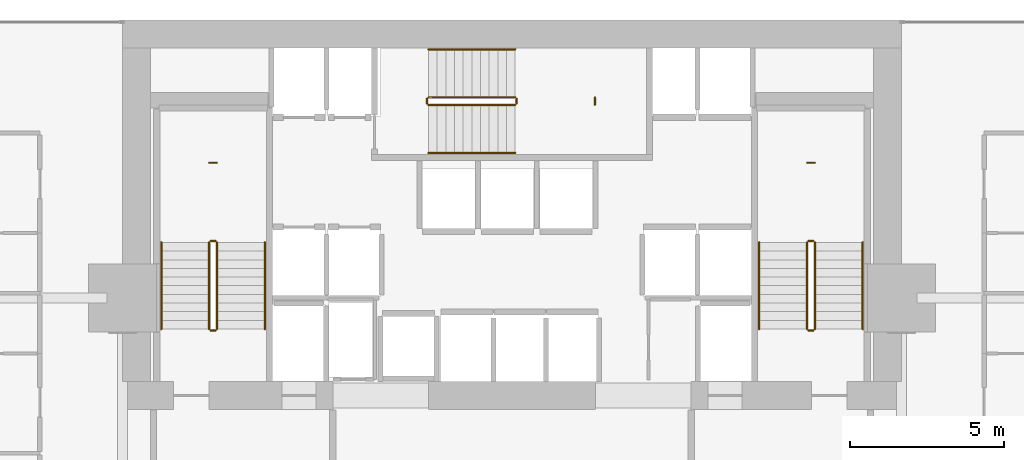
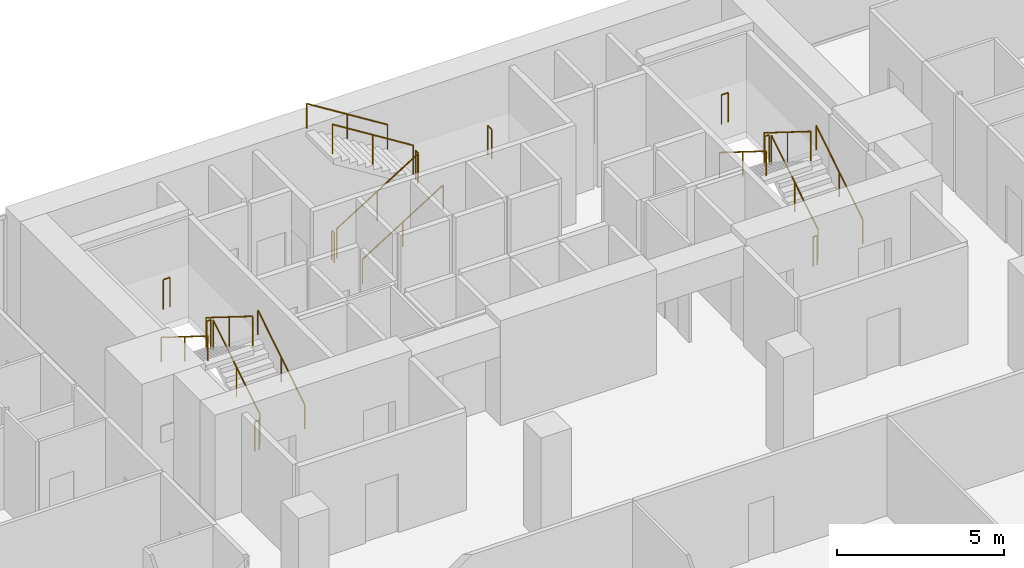
# One storey, part 40 of 40: 21 railings.
"""IFC4 building model written with IfcOpenShell, lengths in metres."""

from ifc_helpers import new_model, si_unit, direction, frame, origin, origin_2d, place, context, subcontext, project, spatial, circle, extrude, material, type_object, element, save


model = new_model("IFC4")

# Units and contexts
model_context = context("Model", 3, precision=1e-05, world=origin(), true_north=direction((0.0, 1.0)))
body_context = subcontext(model_context, "Body", "Model", "MODEL_VIEW")
ifc_project = project(units=[si_unit("LENGTHUNIT", "METRE"), si_unit("AREAUNIT", "SQUARE_METRE"), si_unit("VOLUMEUNIT", "CUBIC_METRE"), si_unit("PLANEANGLEUNIT", "RADIAN"), si_unit("MASSUNIT", "GRAM", prefix="KILO")], contexts=[model_context])

# Site, building, storey
site_placement = place(None, origin())
site = spatial("IfcSite", under=ifc_project, at=site_placement, CompositionType="ELEMENT")
building_placement = place(site_placement, origin())
building = spatial("IfcBuilding", under=site, at=building_placement, Name="Maruvema Waterfront Hotel and Observation Tower", CompositionType="ELEMENT")
storey_placement = place(building_placement, frame((0.0, 0.0, 80.85009765625)))
storey = spatial("IfcBuildingStorey", under=building, at=storey_placement, Name="L19", CompositionType="ELEMENT", Elevation=80.85009765625)

# Railings
ifc_material_1 = material(Name="Brushed stainless steel Grade 316", Category="steel")
railing_type_1 = type_object("IfcRailingType", Name="Ramp Continuous Wall Handrail 920 mm", PredefinedType="HANDRAIL", material=ifc_material_1)
railing_1_placement = place(storey_placement, frame((29.800048828125, 44.0, 0.1748046875)))
element("IfcRailing", 1, at=railing_1_placement, inside=storey, type_object=railing_type_1, Name="L19 ST-01 stair handrail 1", PredefinedType="HANDRAIL", context=body_context, shape_type="SweptSolid", body=[
    extrude(circle(Radius=0.02392578125, at=origin_2d()), frame((0.0, 0.0, 0.89599609375), z_axis=(0.0, 0.848002457836, 0.529992293815), x_axis=(-1.0, 0.0, 0.0)), (0.0, 0.0, 1.0), 3.302001953125),
    extrude(circle(Radius=0.02099609375, at=origin_2d()), origin(), (0.0, 0.0, 1.0), 0.871826171875),
    extrude(circle(Radius=0.02099609375, at=origin_2d()), frame((0.0, 1.39990234375, 0.875)), (0.0, 0.0, 1.0), 0.871826171875),
    extrude(circle(Radius=0.02099609375, at=origin_2d()), frame((0.0, 2.800048828125, 1.75)), (0.0, 0.0, 1.0), 0.871826171875),
])
railing_2_placement = place(storey_placement, frame((26.449951171875, 46.800048828125, 2.099853515625)))
element("IfcRailing", 2, at=railing_2_placement, inside=storey, type_object=railing_type_1, Name="L19 ST-01 stair handrail 2", PredefinedType="HANDRAIL", context=body_context, shape_type="SweptSolid", body=[
    extrude(circle(Radius=0.02392578125, at=origin_2d()), frame((0.0, 0.0, 0.89599609375), z_axis=(0.0, -0.848002457836, 0.529992293815), x_axis=(1.0, 0.0, 0.0)), (0.0, 0.0, 1.0), 3.302001953125),
    extrude(circle(Radius=0.02099609375, at=origin_2d()), origin(), (0.0, 0.0, 1.0), 0.871826171875),
    extrude(circle(Radius=0.02099609375, at=origin_2d()), frame((0.0, -1.39990234375, 0.875)), (0.0, 0.0, 1.0), 0.871826171875),
    extrude(circle(Radius=0.02099609375, at=origin_2d()), frame((0.0, -2.800048828125, 1.75)), (0.0, 0.0, 1.0), 0.871826171875),
])
railing_3_placement = place(storey_placement, frame((35.10009765625, 49.699951171875, 0.1748046875)))
element("IfcRailing", 3, at=railing_3_placement, inside=storey, type_object=railing_type_1, Name="L19 ST-02 stair handrail 1", PredefinedType="HANDRAIL", context=body_context, shape_type="SweptSolid", body=[
    extrude(circle(Radius=0.02392578125, at=origin_2d()), frame((0.0, 0.0, 0.89599609375), z_axis=(0.847981687118, 0.0, 0.530025526095), x_axis=(0.0, 1.0, 0.0)), (0.0, 0.0, 1.0), 3.3017578125),
    extrude(circle(Radius=0.02099609375, at=origin_2d()), origin(), (0.0, 0.0, 1.0), 0.871826171875),
    extrude(circle(Radius=0.02099609375, at=origin_2d()), frame((1.39990234375, 0.0, 0.875)), (0.0, 0.0, 1.0), 0.871826171875),
    extrude(circle(Radius=0.02099609375, at=origin_2d()), frame((2.7998046875, 0.0, 1.75)), (0.0, 0.0, 1.0), 0.871826171875),
])
railing_4_placement = place(storey_placement, frame((37.89990234375, 53.050048828125, 2.099853515625)))
element("IfcRailing", 4, at=railing_4_placement, inside=storey, type_object=railing_type_1, Name="L19 ST-02 stair handrail 2", PredefinedType="HANDRAIL", context=body_context, shape_type="SweptSolid", body=[
    extrude(circle(Radius=0.02392578125, at=origin_2d()), frame((0.0, 0.0, 0.89599609375), z_axis=(-0.847981687118, 0.0, 0.530025526095), x_axis=(0.0, -1.0, 0.0)), (0.0, 0.0, 1.0), 3.3017578125),
    extrude(circle(Radius=0.02099609375, at=origin_2d()), origin(), (0.0, 0.0, 1.0), 0.871826171875),
    extrude(circle(Radius=0.02099609375, at=origin_2d()), frame((-1.39990234375, 0.0, 0.875)), (0.0, 0.0, 1.0), 0.871826171875),
    extrude(circle(Radius=0.02099609375, at=origin_2d()), frame((-2.7998046875, 0.0, 1.75)), (0.0, 0.0, 1.0), 0.871826171875),
])
railing_5_placement = place(storey_placement, frame((49.14990234375, 44.0, 0.1748046875)))
element("IfcRailing", 5, at=railing_5_placement, inside=storey, type_object=railing_type_1, Name="L19 ST-03 stair handrail 1", PredefinedType="HANDRAIL", context=body_context, shape_type="SweptSolid", body=[
    extrude(circle(Radius=0.02392578125, at=origin_2d()), frame((0.0, 0.0, 0.89599609375), z_axis=(0.0, 0.848002457836, 0.529992293815), x_axis=(-1.0, 0.0, 0.0)), (0.0, 0.0, 1.0), 3.302001953125),
    extrude(circle(Radius=0.02099609375, at=origin_2d()), origin(), (0.0, 0.0, 1.0), 0.871826171875),
    extrude(circle(Radius=0.02099609375, at=origin_2d()), frame((0.0, 1.39990234375, 0.875)), (0.0, 0.0, 1.0), 0.871826171875),
    extrude(circle(Radius=0.02099609375, at=origin_2d()), frame((0.0, 2.800048828125, 1.75)), (0.0, 0.0, 1.0), 0.871826171875),
])
railing_6_placement = place(storey_placement, frame((45.800048828125, 46.800048828125, 2.099853515625)))
element("IfcRailing", 6, at=railing_6_placement, inside=storey, type_object=railing_type_1, Name="L19 ST-03 stair handrail 2", PredefinedType="HANDRAIL", context=body_context, shape_type="SweptSolid", body=[
    extrude(circle(Radius=0.02392578125, at=origin_2d()), frame((0.0, 0.0, 0.89599609375), z_axis=(0.0, -0.848002457836, 0.529992293815), x_axis=(1.0, 0.0, 0.0)), (0.0, 0.0, 1.0), 3.302001953125),
    extrude(circle(Radius=0.02099609375, at=origin_2d()), origin(), (0.0, 0.0, 1.0), 0.871826171875),
    extrude(circle(Radius=0.02099609375, at=origin_2d()), frame((0.0, -1.39990234375, 0.875)), (0.0, 0.0, 1.0), 0.871826171875),
    extrude(circle(Radius=0.02099609375, at=origin_2d()), frame((0.0, -2.800048828125, 1.75)), (0.0, 0.0, 1.0), 0.871826171875),
])
ifc_material_2 = material(Name="Brushed stainless steel Grade 316", Category="steel")
railing_type_2 = type_object("IfcRailingType", Name="Ramp and Terrace Guard Balustrade 1100 mm", PredefinedType="BALUSTRADE", material=ifc_material_2)
railing_7_placement = place(storey_placement, frame((28.25, 44.0, 0.1748046875)))
element("IfcRailing", 7, at=railing_7_placement, inside=storey, type_object=railing_type_2, Name="L19 ST-01 stair guard 1", PredefinedType="BALUSTRADE", context=body_context, shape_type="SweptSolid", body=[
    extrude(circle(Radius=0.02392578125, at=origin_2d()), frame((0.0, 0.0, 1.076171875), z_axis=(0.0, 0.848002457836, 0.529992293815), x_axis=(-1.0, 0.0, 0.0)), (0.0, 0.0, 1.0), 3.302001953125),
    extrude(circle(Radius=0.02099609375, at=origin_2d()), origin(), (0.0, 0.0, 1.0), 1.052001953125),
    extrude(circle(Radius=0.02099609375, at=origin_2d()), frame((0.0, 1.39990234375, 0.875)), (0.0, 0.0, 1.0), 1.052001953125),
    extrude(circle(Radius=0.02099609375, at=origin_2d()), frame((0.0, 2.800048828125, 1.75)), (0.0, 0.0, 1.0), 1.052001953125),
])
railing_8_placement = place(storey_placement, frame((28.199951171875, 46.85009765625, 1.9248046875)))
element("IfcRailing", 8, at=railing_8_placement, inside=storey, type_object=railing_type_2, Name="L19 ST-01 stair guard 2", PredefinedType="BALUSTRADE", context=body_context, shape_type="SweptSolid", body=[
    extrude(circle(Radius=0.02392578125, at=origin_2d()), frame((0.0, 0.0, 1.076171875), z_axis=(-1.0, 0.0, 0.0), x_axis=(0.0, -1.0, 0.0)), (0.0, 0.0, 1.0), 0.14990234375),
    extrude(circle(Radius=0.02099609375, at=origin_2d()), origin(), (0.0, 0.0, 1.0), 1.052001953125),
    extrude(circle(Radius=0.02099609375, at=origin_2d()), frame((-0.14990234375, 0.0, 0.0)), (0.0, 0.0, 1.0), 1.052001953125),
])
railing_9_placement = place(storey_placement, frame((28.0, 46.800048828125, 2.099853515625)))
element("IfcRailing", 9, at=railing_9_placement, inside=storey, type_object=railing_type_2, Name="L19 ST-01 stair guard 3", PredefinedType="BALUSTRADE", context=body_context, shape_type="SweptSolid", body=[
    extrude(circle(Radius=0.02392578125, at=origin_2d()), frame((0.0, 0.0, 1.076171875), z_axis=(0.0, -0.848002457836, 0.529992293815), x_axis=(1.0, 0.0, 0.0)), (0.0, 0.0, 1.0), 3.302001953125),
    extrude(circle(Radius=0.02099609375, at=origin_2d()), origin(), (0.0, 0.0, 1.0), 1.052001953125),
    extrude(circle(Radius=0.02099609375, at=origin_2d()), frame((0.0, -1.39990234375, 0.875)), (0.0, 0.0, 1.0), 1.052001953125),
    extrude(circle(Radius=0.02099609375, at=origin_2d()), frame((0.0, -2.800048828125, 1.75)), (0.0, 0.0, 1.0), 1.052001953125),
])
railing_10_placement = place(storey_placement, frame((28.199951171875, 43.949951171875, 0.0)))
element("IfcRailing", 10, at=railing_10_placement, inside=storey, type_object=railing_type_2, Name="L19 ST-01 stair guard 4", PredefinedType="BALUSTRADE", context=body_context, shape_type="SweptSolid", body=[
    extrude(circle(Radius=0.02392578125, at=origin_2d()), frame((0.0, 0.0, 1.076171875), z_axis=(-1.0, 0.0, 0.0), x_axis=(0.0, -1.0, 0.0)), (0.0, 0.0, 1.0), 0.14990234375),
    extrude(circle(Radius=0.02099609375, at=origin_2d()), origin(), (0.0, 0.0, 1.0), 1.052001953125),
    extrude(circle(Radius=0.02099609375, at=origin_2d()), frame((-0.14990234375, 0.0, 0.0)), (0.0, 0.0, 1.0), 1.052001953125),
])
railing_11_placement = place(storey_placement, frame((28.239990234375, 49.3798828125, 1.9248046875)))
element("IfcRailing", 11, at=railing_11_placement, inside=storey, type_object=railing_type_2, Name="L19 ST-01 Half-Landing Slot Guard", PredefinedType="BALUSTRADE", context=body_context, shape_type="SweptSolid", body=[
    extrude(circle(Radius=0.02392578125, at=origin_2d()), frame((0.0, 0.0, 1.076171875), z_axis=(-1.0, 0.0, 0.0), x_axis=(0.0, -1.0, 0.0)), (0.0, 0.0, 1.0), 0.22998046875),
    extrude(circle(Radius=0.02099609375, at=origin_2d()), origin(), (0.0, 0.0, 1.0), 1.052001953125),
    extrude(circle(Radius=0.02099609375, at=origin_2d()), frame((-0.22998046875, 0.0, 0.0)), (0.0, 0.0, 1.0), 1.052001953125),
])
railing_12_placement = place(storey_placement, frame((35.10009765625, 51.25, 0.1748046875)))
element("IfcRailing", 12, at=railing_12_placement, inside=storey, type_object=railing_type_2, Name="L19 ST-02 stair guard 1", PredefinedType="BALUSTRADE", context=body_context, shape_type="SweptSolid", body=[
    extrude(circle(Radius=0.02392578125, at=origin_2d()), frame((0.0, 0.0, 1.076171875), z_axis=(0.847981687118, 0.0, 0.530025526095), x_axis=(0.0, 1.0, 0.0)), (0.0, 0.0, 1.0), 3.3017578125),
    extrude(circle(Radius=0.02099609375, at=origin_2d()), origin(), (0.0, 0.0, 1.0), 1.052001953125),
    extrude(circle(Radius=0.02099609375, at=origin_2d()), frame((1.39990234375, 0.0, 0.875)), (0.0, 0.0, 1.0), 1.052001953125),
    extrude(circle(Radius=0.02099609375, at=origin_2d()), frame((2.7998046875, 0.0, 1.75)), (0.0, 0.0, 1.0), 1.052001953125),
])
railing_13_placement = place(storey_placement, frame((37.949951171875, 51.300048828125, 1.9248046875)))
element("IfcRailing", 13, at=railing_13_placement, inside=storey, type_object=railing_type_2, Name="L19 ST-02 stair guard 2", PredefinedType="BALUSTRADE", context=body_context, shape_type="SweptSolid", body=[
    extrude(circle(Radius=0.02392578125, at=origin_2d()), frame((0.0, 0.0, 1.076171875), z_axis=(0.0, 1.0, 0.0), x_axis=(-1.0, 0.0, 0.0)), (0.0, 0.0, 1.0), 0.14990234375),
    extrude(circle(Radius=0.02099609375, at=origin_2d()), origin(), (0.0, 0.0, 1.0), 1.052001953125),
    extrude(circle(Radius=0.02099609375, at=origin_2d()), frame((0.0, 0.14990234375, 0.0)), (0.0, 0.0, 1.0), 1.052001953125),
])
railing_14_placement = place(storey_placement, frame((37.89990234375, 51.5, 2.099853515625)))
element("IfcRailing", 14, at=railing_14_placement, inside=storey, type_object=railing_type_2, Name="L19 ST-02 stair guard 3", PredefinedType="BALUSTRADE", context=body_context, shape_type="SweptSolid", body=[
    extrude(circle(Radius=0.02392578125, at=origin_2d()), frame((0.0, 0.0, 1.076171875), z_axis=(-0.847981687118, 0.0, 0.530025526095), x_axis=(0.0, -1.0, 0.0)), (0.0, 0.0, 1.0), 3.3017578125),
    extrude(circle(Radius=0.02099609375, at=origin_2d()), origin(), (0.0, 0.0, 1.0), 1.052001953125),
    extrude(circle(Radius=0.02099609375, at=origin_2d()), frame((-1.39990234375, 0.0, 0.875)), (0.0, 0.0, 1.0), 1.052001953125),
    extrude(circle(Radius=0.02099609375, at=origin_2d()), frame((-2.7998046875, 0.0, 1.75)), (0.0, 0.0, 1.0), 1.052001953125),
])
railing_15_placement = place(storey_placement, frame((35.050048828125, 51.300048828125, 0.0)))
element("IfcRailing", 15, at=railing_15_placement, inside=storey, type_object=railing_type_2, Name="L19 ST-02 stair guard 4", PredefinedType="BALUSTRADE", context=body_context, shape_type="SweptSolid", body=[
    extrude(circle(Radius=0.02392578125, at=origin_2d()), frame((0.0, 0.0, 1.076171875), z_axis=(0.0, 1.0, 0.0), x_axis=(-1.0, 0.0, 0.0)), (0.0, 0.0, 1.0), 0.14990234375),
    extrude(circle(Radius=0.02099609375, at=origin_2d()), origin(), (0.0, 0.0, 1.0), 1.052001953125),
    extrude(circle(Radius=0.02099609375, at=origin_2d()), frame((0.0, 0.14990234375, 0.0)), (0.0, 0.0, 1.0), 1.052001953125),
])
railing_16_placement = place(storey_placement, frame((40.47998046875, 51.260009765625, 1.9248046875)))
element("IfcRailing", 16, at=railing_16_placement, inside=storey, type_object=railing_type_2, Name="L19 ST-02 Half-Landing Slot Guard", PredefinedType="BALUSTRADE", context=body_context, shape_type="SweptSolid", body=[
    extrude(circle(Radius=0.02392578125, at=origin_2d()), frame((0.0, 0.0, 1.076171875), z_axis=(0.0, 1.0, 0.0), x_axis=(-1.0, 0.0, 0.0)), (0.0, 0.0, 1.0), 0.22998046875),
    extrude(circle(Radius=0.02099609375, at=origin_2d()), origin(), (0.0, 0.0, 1.0), 1.052001953125),
    extrude(circle(Radius=0.02099609375, at=origin_2d()), frame((0.0, 0.22998046875, 0.0)), (0.0, 0.0, 1.0), 1.052001953125),
])
railing_17_placement = place(storey_placement, frame((47.60009765625, 44.0, 0.1748046875)))
element("IfcRailing", 17, at=railing_17_placement, inside=storey, type_object=railing_type_2, Name="L19 ST-03 stair guard 1", PredefinedType="BALUSTRADE", context=body_context, shape_type="SweptSolid", body=[
    extrude(circle(Radius=0.02392578125, at=origin_2d()), frame((0.0, 0.0, 1.076171875), z_axis=(0.0, 0.848002457836, 0.529992293815), x_axis=(-1.0, 0.0, 0.0)), (0.0, 0.0, 1.0), 3.302001953125),
    extrude(circle(Radius=0.02099609375, at=origin_2d()), origin(), (0.0, 0.0, 1.0), 1.052001953125),
    extrude(circle(Radius=0.02099609375, at=origin_2d()), frame((0.0, 1.39990234375, 0.875)), (0.0, 0.0, 1.0), 1.052001953125),
    extrude(circle(Radius=0.02099609375, at=origin_2d()), frame((0.0, 2.800048828125, 1.75)), (0.0, 0.0, 1.0), 1.052001953125),
])
railing_18_placement = place(storey_placement, frame((47.550048828125, 46.85009765625, 1.9248046875)))
element("IfcRailing", 18, at=railing_18_placement, inside=storey, type_object=railing_type_2, Name="L19 ST-03 stair guard 2", PredefinedType="BALUSTRADE", context=body_context, shape_type="SweptSolid", body=[
    extrude(circle(Radius=0.02392578125, at=origin_2d()), frame((0.0, 0.0, 1.076171875), z_axis=(-1.0, 0.0, 0.0), x_axis=(0.0, -1.0, 0.0)), (0.0, 0.0, 1.0), 0.150146484375),
    extrude(circle(Radius=0.02099609375, at=origin_2d()), origin(), (0.0, 0.0, 1.0), 1.052001953125),
    extrude(circle(Radius=0.02099609375, at=origin_2d()), frame((-0.150146484375, 0.0, 0.0)), (0.0, 0.0, 1.0), 1.052001953125),
])
railing_19_placement = place(storey_placement, frame((47.35009765625, 46.800048828125, 2.099853515625)))
element("IfcRailing", 19, at=railing_19_placement, inside=storey, type_object=railing_type_2, Name="L19 ST-03 stair guard 3", PredefinedType="BALUSTRADE", context=body_context, shape_type="SweptSolid", body=[
    extrude(circle(Radius=0.02392578125, at=origin_2d()), frame((0.0, 0.0, 1.076171875), z_axis=(0.0, -0.848002457836, 0.529992293815), x_axis=(1.0, 0.0, 0.0)), (0.0, 0.0, 1.0), 3.302001953125),
    extrude(circle(Radius=0.02099609375, at=origin_2d()), origin(), (0.0, 0.0, 1.0), 1.052001953125),
    extrude(circle(Radius=0.02099609375, at=origin_2d()), frame((0.0, -1.39990234375, 0.875)), (0.0, 0.0, 1.0), 1.052001953125),
    extrude(circle(Radius=0.02099609375, at=origin_2d()), frame((0.0, -2.800048828125, 1.75)), (0.0, 0.0, 1.0), 1.052001953125),
])
railing_20_placement = place(storey_placement, frame((47.550048828125, 43.949951171875, 0.0)))
element("IfcRailing", 20, at=railing_20_placement, inside=storey, type_object=railing_type_2, Name="L19 ST-03 stair guard 4", PredefinedType="BALUSTRADE", context=body_context, shape_type="SweptSolid", body=[
    extrude(circle(Radius=0.02392578125, at=origin_2d()), frame((0.0, 0.0, 1.076171875), z_axis=(-1.0, 0.0, 0.0), x_axis=(0.0, -1.0, 0.0)), (0.0, 0.0, 1.0), 0.150146484375),
    extrude(circle(Radius=0.02099609375, at=origin_2d()), origin(), (0.0, 0.0, 1.0), 1.052001953125),
    extrude(circle(Radius=0.02099609375, at=origin_2d()), frame((-0.150146484375, 0.0, 0.0)), (0.0, 0.0, 1.0), 1.052001953125),
])
railing_21_placement = place(storey_placement, frame((47.590087890625, 49.3798828125, 1.9248046875)))
element("IfcRailing", 21, at=railing_21_placement, inside=storey, type_object=railing_type_2, Name="L19 ST-03 Half-Landing Slot Guard", PredefinedType="BALUSTRADE", context=body_context, shape_type="SweptSolid", body=[
    extrude(circle(Radius=0.02392578125, at=origin_2d()), frame((0.0, 0.0, 1.076171875), z_axis=(-1.0, 0.0, 0.0), x_axis=(0.0, -1.0, 0.0)), (0.0, 0.0, 1.0), 0.22998046875),
    extrude(circle(Radius=0.02099609375, at=origin_2d()), origin(), (0.0, 0.0, 1.0), 1.052001953125),
    extrude(circle(Radius=0.02099609375, at=origin_2d()), frame((-0.22998046875, 0.0, 0.0)), (0.0, 0.0, 1.0), 1.052001953125),
])

save(model, "model.ifc")
